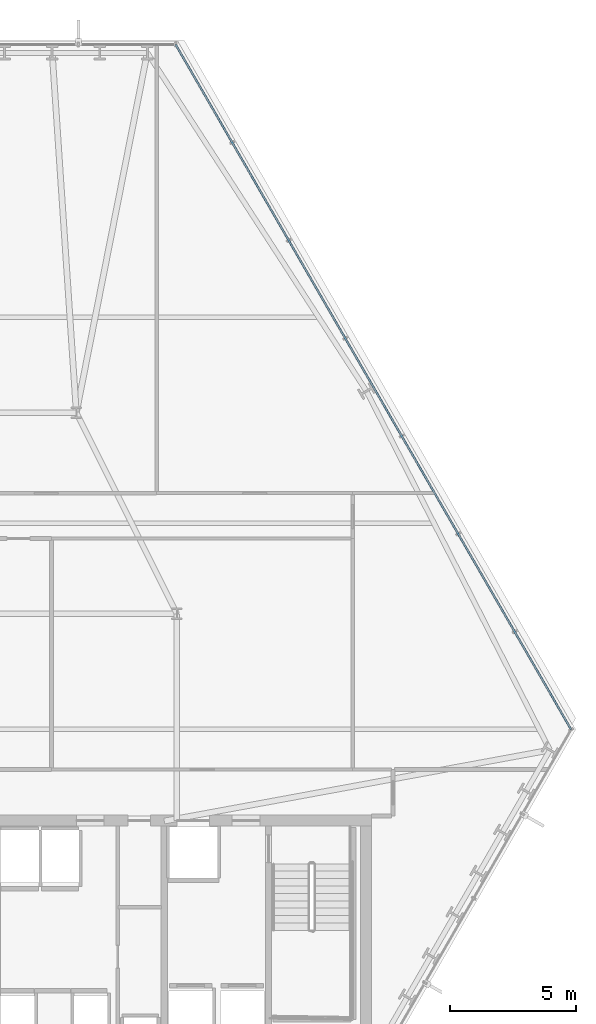
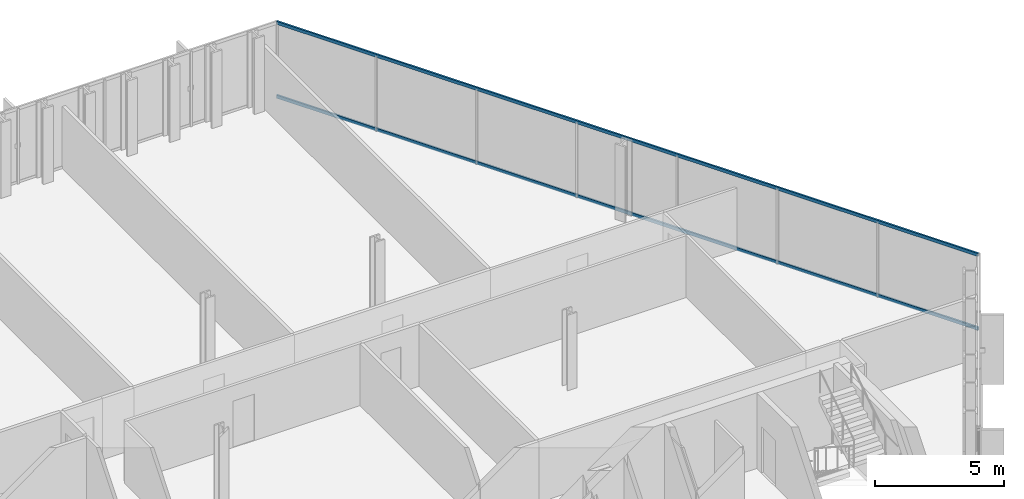
# One storey, part 19 of 32: 2 members, 1 element without a shape of its own.
"""IFC4 building model written with IfcOpenShell, lengths in metres."""

import ifcopenshell
import ifcopenshell.guid

model = None  # the IFC model being written
_history = None  # IfcOwnerHistory: only IFC2X3 demands one
_inside = {}  # id of a spatial element -> (the spatial element, [elements in it])
_under = {}  # id of a project, library or spatial element -> (it, [spatial elements below it])
_declared = {}  # id of a project -> (the project, [libraries it declares])
_typed = {}  # id of a type object -> (the type object, [elements of that type])
_made_of = {}  # id of a material, layer set ... -> (it, [elements and type objects made of it])


def new_model(schema):
    """Start an empty IFC model of exactly this schema.

    Asked for "IFC4X3", IfcOpenShell would pick the latest addendum, in which some entities
    have other attributes; the version numbers below select the first issue.
    IFC2X3 requires an IfcOwnerHistory on every rooted entity: one is made here for all.
    """
    global model, _history
    if schema == "IFC4X3":
        model = ifcopenshell.file(schema_version=(4, 3, 0, 0))
    else:
        model = ifcopenshell.file(schema=schema)
    _inside.clear()
    _under.clear()
    _declared.clear()
    _typed.clear()
    _made_of.clear()
    _history = None
    if model.schema == "IFC2X3":
        org = make("IfcOrganization", Name="unknown")
        user = make(
            "IfcPersonAndOrganization",
            ThePerson=make("IfcPerson", FamilyName="unknown"),
            TheOrganization=org,
        )
        app = make(
            "IfcApplication",
            ApplicationDeveloper=org,
            Version="unknown",
            ApplicationFullName="unknown",
            ApplicationIdentifier="unknown",
        )
        _history = make(
            "IfcOwnerHistory",
            OwningUser=user,
            OwningApplication=app,
            ChangeAction="ADDED",
            CreationDate=0,
        )
    return model


def make(cls, **values):
    """One entity of the class cls with the attributes given. An attribute that is None is left unset."""
    return model.create_entity(
        cls, **{name: value for name, value in values.items() if value is not None}
    )


def rooted(cls, **values):
    """An entity with a GlobalId (a new one), such as an element, a storey or a relation."""
    return make(cls, GlobalId=ifcopenshell.guid.new(), OwnerHistory=_history, **values)


def si_unit(unit_type, name, prefix=None):
    """IfcSIUnit, for example si_unit("LENGTHUNIT", "METRE", prefix="MILLI")."""
    return make("IfcSIUnit", UnitType=unit_type, Prefix=prefix, Name=name)


def assignment(units):
    """IfcUnitAssignment: the units of a project."""
    return None if units is None else make("IfcUnitAssignment", Units=units)


def point(xyz):
    """IfcCartesianPoint."""
    return None if xyz is None else make("IfcCartesianPoint", Coordinates=xyz)


def direction(xyz):
    """IfcDirection."""
    return None if xyz is None else make("IfcDirection", DirectionRatios=xyz)


def frame(location, z_axis=None, x_axis=None):
    """IfcAxis2Placement3D, a coordinate frame: its origin and axes. An axis left out is left unset."""
    return make(
        "IfcAxis2Placement3D",
        Location=point(location),
        Axis=direction(z_axis),
        RefDirection=direction(x_axis),
    )


def frame_2d(location, x_axis=None):
    """IfcAxis2Placement2D, a coordinate frame in the plane: its origin and x axis."""
    return make(
        "IfcAxis2Placement2D", Location=point(location), RefDirection=direction(x_axis)
    )


def origin():
    """The frame at (0, 0, 0) with its axes left unset."""
    return frame((0.0, 0.0, 0.0))


def origin_2d():
    """The frame at (0, 0) in the plane with its x axis left unset."""
    return frame_2d((0.0, 0.0))


def place(relative_to, where):
    """IfcLocalPlacement: puts the frame where relative to a parent placement (None: the world)."""
    return make(
        "IfcLocalPlacement", PlacementRelTo=relative_to, RelativePlacement=where
    )


def context(
    kind, dimensions, precision=None, world=None, true_north=None, identifier=None
):
    """IfcGeometricRepresentationContext, for example the 3D "Model" context."""
    return make(
        "IfcGeometricRepresentationContext",
        ContextIdentifier=identifier,
        ContextType=kind,
        CoordinateSpaceDimension=dimensions,
        Precision=precision,
        WorldCoordinateSystem=world,
        TrueNorth=true_north,
    )


def subcontext(parent, identifier, kind, view, scale=None):
    """IfcGeometricRepresentationSubContext, for example "Body" below "Model"."""
    return make(
        "IfcGeometricRepresentationSubContext",
        ContextIdentifier=identifier,
        ContextType=kind,
        ParentContext=parent,
        TargetScale=scale,
        TargetView=view,
    )


def project(units=None, contexts=None):
    """IfcProject with its units and contexts."""
    return rooted(
        "IfcProject",
        Name="project",
        RepresentationContexts=contexts,
        UnitsInContext=assignment(units),
    )


def spatial(cls, under=None, at=None, **own):
    """A site, building, storey or space (cls), placed at a placement, below another one or the project."""
    s = rooted(cls, ObjectPlacement=at, **own)
    if under is not None:
        _under.setdefault(under.id(), (under, []))[1].append(s)
    return s


def profile(cls, at=None, kind="AREA", **sizes):
    """A parametric profile (cls). Its sizes go by their IFC names, for example OverallWidth=200.0."""
    return make(cls, ProfileType=kind, Position=at, **sizes)


def hollow_rectangle(**sizes):
    """IfcRectangleHollowProfileDef."""
    return profile("IfcRectangleHollowProfileDef", **sizes)


def extrude(swept, where, along, depth):
    """IfcExtrudedAreaSolid: the profile swept, set in the frame where, extruded along a direction by depth."""
    return make(
        "IfcExtrudedAreaSolid",
        SweptArea=swept,
        Position=where,
        ExtrudedDirection=direction(along),
        Depth=depth,
    )


def shape(context_of_items, identifier, shape_type, items):
    """IfcShapeRepresentation: the items that make up one representation, for example the "Body"."""
    return make(
        "IfcShapeRepresentation",
        ContextOfItems=context_of_items,
        RepresentationIdentifier=identifier,
        RepresentationType=shape_type,
        Items=items,
    )


def material(Name=None, Category=None):
    """IfcMaterial."""
    return make("IfcMaterial", Name=Name, Category=Category)


def layer(
    of_material, thickness, ventilated=None, Name=None, Category=None, Priority=None
):
    """IfcMaterialLayer: one layer of a wall or slab, of a material (None: an air gap)."""
    return make(
        "IfcMaterialLayer",
        Material=of_material,
        LayerThickness=thickness,
        IsVentilated=ventilated,
        Name=Name,
        Category=Category,
        Priority=Priority,
    )


def layer_set(layers, Name=None):
    """IfcMaterialLayerSet."""
    return make("IfcMaterialLayerSet", MaterialLayers=layers, LayerSetName=Name)


def material_profile(
    of_material, cross_section, Name=None, Category=None, Priority=None
):
    """IfcMaterialProfile: a cross section and its material."""
    return make(
        "IfcMaterialProfile",
        Name=Name,
        Material=of_material,
        Profile=cross_section,
        Priority=Priority,
        Category=Category,
    )


def profile_set(profiles, Name=None, composite=None):
    """IfcMaterialProfileSet."""
    return make(
        "IfcMaterialProfileSet",
        Name=Name,
        MaterialProfiles=profiles,
        CompositeProfile=composite,
    )


def made_of(thing, what):
    """Note that an element or type object is made of a material, layer set ...; save() writes the relation."""
    if what is not None:
        _made_of.setdefault(what.id(), (what, []))[1].append(thing)
    return thing


def type_object(cls, material=None, **own):
    """A type object (cls), such as IfcWallType, which elements share."""
    return made_of(rooted(cls, **own), material)


def element(
    cls,
    number,
    at=None,
    inside=None,
    cuts=None,
    type_object=None,
    material=None,
    context=None,
    identifier="Body",
    shape_type=None,
    held_by="IfcProductDefinitionShape",
    body=None,
    shapes=None,
    **own,
):
    """One element of the class cls, such as IfcWall. Its Tag is "e" and its number.

    at: its placement. inside: the storey or other place that contains it. cuts: it is an
    opening in that element (IfcRelVoidsElement). A single representation is given by context,
    identifier, shape_type and body (its items); several are given by shapes. held_by: the class
    of the entity that holds the representations. save() writes the other relations.
    """
    e = rooted(cls, Tag="e%d" % number, ObjectPlacement=at, **own)
    if body is not None:
        shapes = [shape(context, identifier, shape_type, body)]
    if shapes is not None:
        e.Representation = make(held_by, Representations=shapes)
    if inside is not None:
        _inside.setdefault(inside.id(), (inside, []))[1].append(e)
    if cuts is not None:
        rooted(
            "IfcRelVoidsElement", RelatingBuildingElement=cuts, RelatedOpeningElement=e
        )
    if type_object is not None:
        _typed.setdefault(type_object.id(), (type_object, []))[1].append(e)
    return made_of(e, material)


def aggregate(whole, parts):
    """IfcRelAggregates: a whole, such as a stair, and the parts it consists of."""
    return rooted("IfcRelAggregates", RelatingObject=whole, RelatedObjects=parts)


def save(model, path):
    """Write the relations noted so far, then the file.

    IfcRelAggregates (storeys below a building ...), IfcRelContainedInSpatialStructure (elements
    in a storey), IfcRelDefinesByType, IfcRelAssociatesMaterial and IfcRelDeclares: one each for
    every whole, place, type object, material and project.
    """
    for whole, parts in _under.values():
        aggregate(whole, parts)
    for where, things in _inside.values():
        rooted(
            "IfcRelContainedInSpatialStructure",
            RelatedElements=things,
            RelatingStructure=where,
        )
    for kind, things in _typed.values():
        rooted("IfcRelDefinesByType", RelatedObjects=things, RelatingType=kind)
    for what, things in _made_of.values():
        rooted("IfcRelAssociatesMaterial", RelatedObjects=things, RelatingMaterial=what)
    for by, libraries in _declared.values():
        rooted("IfcRelDeclares", RelatingContext=by, RelatedDefinitions=libraries)
    model.write(path)


model = new_model("IFC4")

# Units and contexts
model_context = context("Model", 3, precision=1e-05, world=origin(), true_north=direction((0.0, 1.0)))
body_context = subcontext(model_context, "Body", "Model", "MODEL_VIEW")
ifc_project = project(units=[si_unit("LENGTHUNIT", "METRE"), si_unit("AREAUNIT", "SQUARE_METRE"), si_unit("VOLUMEUNIT", "CUBIC_METRE"), si_unit("PLANEANGLEUNIT", "RADIAN"), si_unit("MASSUNIT", "GRAM", prefix="KILO")], contexts=[model_context])

# Site, building, storey
site_placement = place(None, origin())
site = spatial("IfcSite", under=ifc_project, at=site_placement, CompositionType="ELEMENT")
building_placement = place(site_placement, origin())
building = spatial("IfcBuilding", under=site, at=building_placement, Name="Ndaravel Arena Tower", CompositionType="ELEMENT")
storey_placement = place(building_placement, frame((0.0, 0.0, 58.800048828125)))
storey = spatial("IfcBuildingStorey", under=building, at=storey_placement, Name="L12", CompositionType="ELEMENT", Elevation=58.800048828125)

# Curtain wall, members
ifc_material_1 = material(Name="Aluminium", Category="aluminium")
ifc_layer = layer(ifc_material_1, 0.179931640625)
ifc_layer_set = layer_set([ifc_layer], Name="Aluminium")
curtain_wall_type = type_object("IfcCurtainWallType", Name="CW-SYS-03", PredefinedType="NOTDEFINED", material=ifc_layer_set)
curtain_wall_placement = place(storey_placement, origin())
curtain_wall = element("IfcCurtainWall", 1, at=curtain_wall_placement, inside=storey, type_object=curtain_wall_type, Name="L12 Faceted Crystal Curtain Wall CW-L12-E03", PredefinedType="NOTDEFINED")
ifc_material_2 = material(Name="Aluminium", Category="aluminium")
ifc_material_profile = material_profile(ifc_material_2, hollow_rectangle(XDim=0.074951171875, YDim=0.14990234375, WallThickness=0.00390625, at=origin_2d()), Name="CW TRANSOM 75x150x4")
ifc_profile_set = profile_set([ifc_material_profile], Name="Aluminium")
member_type = type_object("IfcMemberType", Name="MEM-CW-TRN150", PredefinedType="USERDEFINED", material=ifc_profile_set)
member_1_placement = place(storey_placement, frame((65.4912109375, 18.593994140625, 0.0400390625), z_axis=(-0.500001365865, 0.8660246152, 0.0), x_axis=(-0.8660246152, -0.500001365865, 0.0)))
member_1 = element("IfcMember", 2, at=member_1_placement, type_object=member_type, Name="CW-L12-E03 Transom 01", ObjectType="TRANSOM", PredefinedType="USERDEFINED", context=body_context, shape_type="SweptSolid", body=[
    extrude(hollow_rectangle(XDim=0.074951171875, YDim=0.14990234375, WallThickness=0.00390625, at=origin_2d()), origin(), (0.0, 0.0, 1.0), 31.47021484375),
])
member_2_placement = place(storey_placement, frame((65.4912109375, 18.593994140625, 3.5400390625), z_axis=(-0.500001365865, 0.8660246152, 0.0), x_axis=(-0.8660246152, -0.500001365865, 0.0)))
member_2 = element("IfcMember", 3, at=member_2_placement, type_object=member_type, Name="CW-L12-E03 Transom 02", ObjectType="TRANSOM", PredefinedType="USERDEFINED", context=body_context, shape_type="SweptSolid", body=[
    extrude(hollow_rectangle(XDim=0.074951171875, YDim=0.14990234375, WallThickness=0.00390625, at=origin_2d()), origin(), (0.0, 0.0, 1.0), 31.47021484375),
])
aggregate(curtain_wall, [member_1, member_2])

save(model, "model.ifc")
